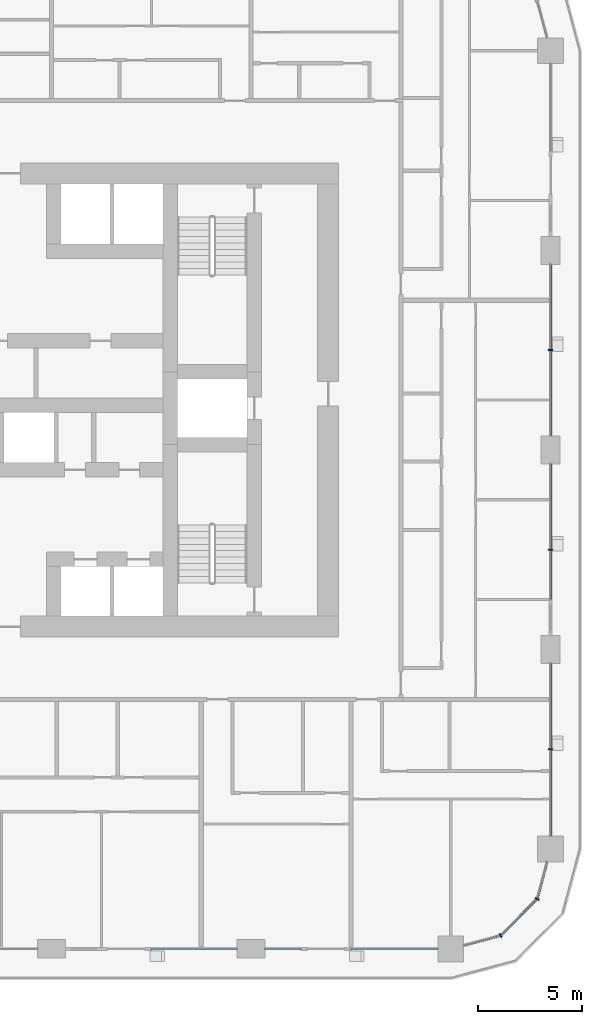
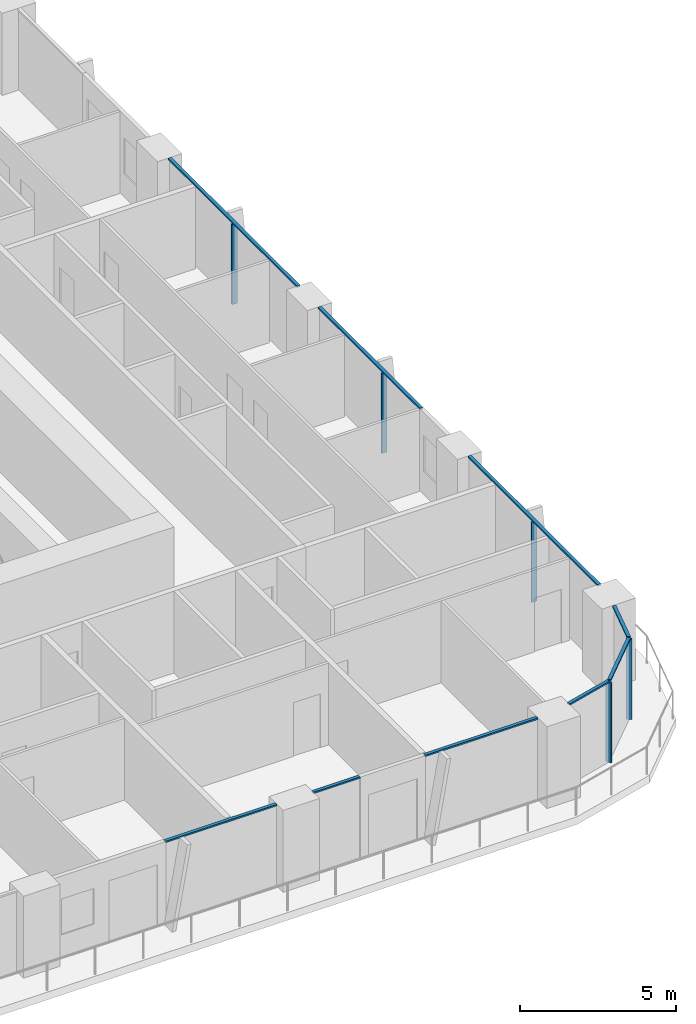
# One storey, part 4 of 21: 14 members, 6 elements without a shape of their own.
"""IFC4 building model written with IfcOpenShell, lengths in metres."""

from ifc_helpers import new_model, si_unit, direction, frame, origin, origin_2d, place, context, subcontext, project, spatial, rectangle, extrude, material, layer, layer_set, material_profile, profile_set, type_object, element, aggregate, save


model = new_model("IFC4")

# Units and contexts
model_context = context("Model", 3, precision=1e-05, world=origin(), true_north=direction((0.0, 1.0)))
body_context = subcontext(model_context, "Body", "Model", "MODEL_VIEW")
ifc_project = project(units=[si_unit("LENGTHUNIT", "METRE"), si_unit("AREAUNIT", "SQUARE_METRE"), si_unit("VOLUMEUNIT", "CUBIC_METRE"), si_unit("PLANEANGLEUNIT", "RADIAN"), si_unit("MASSUNIT", "GRAM", prefix="KILO")], contexts=[model_context])

# Site, building, storey
site_placement = place(None, origin())
site = spatial("IfcSite", under=ifc_project, at=site_placement, CompositionType="ELEMENT")
building_placement = place(site_placement, origin())
building = spatial("IfcBuilding", under=site, at=building_placement, Name="Madar Terraces", CompositionType="ELEMENT")
storey_placement = place(building_placement, frame((0.0, 0.0, 32.89990234375)))
storey = spatial("IfcBuildingStorey", under=building, at=storey_placement, Name="L07", CompositionType="ELEMENT", Elevation=32.89990234375)

# Curtain wall, member
ifc_material_1 = material(Name="Glass, ceramic frit dark grey, with black aluminium frame", Category="aluminium")
ifc_layer = layer(ifc_material_1, 0.199951171875)
ifc_layer_set = layer_set([ifc_layer], Name="Facade curtain wall, fritted glass")
curtain_wall_type = type_object("IfcCurtainWallType", Name="Facade curtain wall, fritted glass", PredefinedType="NOTDEFINED", material=ifc_layer_set)
curtain_wall_1_placement = place(storey_placement, origin())
curtain_wall_1 = element("IfcCurtainWall", 1, at=curtain_wall_1_placement, inside=storey, type_object=curtain_wall_type, Name="Outer skin curtain wall east bay 1", PredefinedType="NOTDEFINED")
ifc_material_2 = material(Name="Aluminium, black anodised", Category="aluminium")
ifc_material_profile_1 = material_profile(ifc_material_2, rectangle(XDim=0.199951171875, YDim=0.06005859375, at=origin_2d()), Name="Facade mullion 60x200")
ifc_profile_set_1 = profile_set([ifc_material_profile_1], Name="Aluminium, black anodised")
member_type_1 = type_object("IfcMemberType", Name="Facade mullion 60x200", PredefinedType="MULLION", material=ifc_profile_set_1)
member_1_placement = place(storey_placement, frame((57.60009765625, 9.60009765625, 0.0), z_axis=(0.0, 0.0, 1.0), x_axis=(-1.0, 0.0, 0.0)))
member_1 = element("IfcMember", 2, at=member_1_placement, type_object=member_type_1, Name="Mullion 1", PredefinedType="MULLION", context=body_context, shape_type="SweptSolid", body=[
    extrude(rectangle(XDim=0.199951171875, YDim=0.06005859375, at=origin_2d()), origin(), (0.0, 0.0, 1.0), 3.14013671875),
])

curtain_wall_2_placement = place(storey_placement, origin())
curtain_wall_2 = element("IfcCurtainWall", 3, at=curtain_wall_2_placement, inside=storey, type_object=curtain_wall_type, Name="Outer skin curtain wall east bay 2", PredefinedType="NOTDEFINED")
member_2_placement = place(storey_placement, frame((57.60009765625, 19.199951171875, 0.0), z_axis=(0.0, 0.0, 1.0), x_axis=(-1.0, 0.0, 0.0)))
member_2 = element("IfcMember", 4, at=member_2_placement, type_object=member_type_1, Name="Mullion 1", PredefinedType="MULLION", context=body_context, shape_type="SweptSolid", body=[
    extrude(rectangle(XDim=0.199951171875, YDim=0.06005859375, at=origin_2d()), origin(), (0.0, 0.0, 1.0), 3.14013671875),
])

curtain_wall_3_placement = place(storey_placement, origin())
curtain_wall_3 = element("IfcCurtainWall", 5, at=curtain_wall_3_placement, inside=storey, type_object=curtain_wall_type, Name="Outer skin curtain wall east bay 3", PredefinedType="NOTDEFINED")
member_3_placement = place(storey_placement, frame((57.60009765625, 28.800048828125, 0.0), z_axis=(0.0, 0.0, 1.0), x_axis=(-1.0, 0.0, 0.0)))
member_3 = element("IfcMember", 6, at=member_3_placement, type_object=member_type_1, Name="Mullion 1", PredefinedType="MULLION", context=body_context, shape_type="SweptSolid", body=[
    extrude(rectangle(XDim=0.199951171875, YDim=0.06005859375, at=origin_2d()), origin(), (0.0, 0.0, 1.0), 3.14013671875),
])

# Curtain wall, members
curtain_wall_4_placement = place(storey_placement, origin())
curtain_wall_4 = element("IfcCurtainWall", 7, at=curtain_wall_4_placement, inside=storey, type_object=curtain_wall_type, Name="Outer skin curtain wall south-east corner", PredefinedType="NOTDEFINED")
member_4_placement = place(storey_placement, frame((55.199951171875, 0.64306640625, 0.0), z_axis=(0.0, 0.0, 1.0), x_axis=(-0.499999989586, 0.866025409797, 0.0)))
member_4 = element("IfcMember", 8, at=member_4_placement, type_object=member_type_1, Name="Mullion 1", PredefinedType="MULLION", context=body_context, shape_type="SweptSolid", body=[
    extrude(rectangle(XDim=0.199951171875, YDim=0.06005859375, at=origin_2d()), origin(), (0.0, 0.0, 1.0), 3.14013671875),
])
member_5_placement = place(storey_placement, frame((56.95703125, 2.39990234375, 0.0), z_axis=(0.0, 0.0, 1.0), x_axis=(-0.866025409797, 0.499999989586, 0.0)))
member_5 = element("IfcMember", 9, at=member_5_placement, type_object=member_type_1, Name="Mullion 2", PredefinedType="MULLION", context=body_context, shape_type="SweptSolid", body=[
    extrude(rectangle(XDim=0.199951171875, YDim=0.06005859375, at=origin_2d()), origin(), (0.0, 0.0, 1.0), 3.14013671875),
])

# Curtain wall, member
curtain_wall_5_placement = place(storey_placement, origin())
curtain_wall_5 = element("IfcCurtainWall", 10, at=curtain_wall_5_placement, inside=storey, type_object=curtain_wall_type, Name="Outer skin curtain wall south bay 4", PredefinedType="NOTDEFINED")
ifc_material_3 = material(Name="Aluminium, black anodised", Category="aluminium")
ifc_material_profile_2 = material_profile(ifc_material_3, rectangle(XDim=0.1201171875, YDim=0.06005859375, at=origin_2d()), Name="Facade transom 60x120")
ifc_profile_set_2 = profile_set([ifc_material_profile_2], Name="Aluminium, black anodised")
member_type_2 = type_object("IfcMemberType", Name="Facade transom 60x120", PredefinedType="USERDEFINED", material=ifc_profile_set_2)
member_6_placement = place(storey_placement, frame((38.39990234375, 0.0, 3.170166015625), z_axis=(1.0, 0.0, 0.0), x_axis=(0.0, 1.0, 0.0)))
member_6 = element("IfcMember", 11, at=member_6_placement, type_object=member_type_2, Name="Transom 1", ObjectType="TRANSOM", PredefinedType="USERDEFINED", context=body_context, shape_type="SweptSolid", body=[
    extrude(rectangle(XDim=0.1201171875, YDim=0.06005859375, at=origin_2d()), origin(), (0.0, 0.0, 1.0), 4.125),
])
aggregate(curtain_wall_5, [member_6])

# Curtain wall, members
curtain_wall_6_placement = place(storey_placement, origin())
curtain_wall_6 = element("IfcCurtainWall", 12, at=curtain_wall_6_placement, inside=storey, type_object=curtain_wall_type, Name="Outer skin curtain wall south bay 5", PredefinedType="NOTDEFINED")
member_7_placement = place(storey_placement, frame((43.875, 0.0, 3.170166015625), z_axis=(1.0, 0.0, 0.0), x_axis=(0.0, 1.0, 0.0)))
member_7 = element("IfcMember", 13, at=member_7_placement, type_object=member_type_2, Name="Transom 1", ObjectType="TRANSOM", PredefinedType="USERDEFINED", context=body_context, shape_type="SweptSolid", body=[
    extrude(rectangle(XDim=0.1201171875, YDim=0.06005859375, at=origin_2d()), origin(), (0.0, 0.0, 1.0), 1.72509765625),
])
member_8_placement = place(storey_placement, frame((48.0, 0.0, 3.170166015625), z_axis=(1.0, 0.0, 0.0), x_axis=(0.0, 1.0, 0.0)))
member_8 = element("IfcMember", 14, at=member_8_placement, type_object=member_type_2, Name="Transom 2", ObjectType="TRANSOM", PredefinedType="USERDEFINED", context=body_context, shape_type="SweptSolid", body=[
    extrude(rectangle(XDim=0.1201171875, YDim=0.06005859375, at=origin_2d()), origin(), (0.0, 0.0, 1.0), 4.175048828125),
])
aggregate(curtain_wall_6, [member_7, member_8])

# Member
member_9_placement = place(storey_placement, frame((57.60009765625, 5.425048828125, 3.170166015625), z_axis=(0.0, 1.0, 0.0), x_axis=(-1.0, 0.0, 0.0)))
member_9 = element("IfcMember", 15, at=member_9_placement, type_object=member_type_2, Name="Transom 1", ObjectType="TRANSOM", PredefinedType="USERDEFINED", context=body_context, shape_type="SweptSolid", body=[
    extrude(rectangle(XDim=0.1201171875, YDim=0.06005859375, at=origin_2d()), origin(), (0.0, 0.0, 1.0), 8.300048828125),
])

aggregate(curtain_wall_1, [member_1, member_9])

member_10_placement = place(storey_placement, frame((57.60009765625, 16.800048828125, 3.170166015625), z_axis=(0.0, 1.0, 0.0), x_axis=(-1.0, 0.0, 0.0)))
member_10 = element("IfcMember", 16, at=member_10_placement, type_object=member_type_2, Name="Transom 1", ObjectType="TRANSOM", PredefinedType="USERDEFINED", context=body_context, shape_type="SweptSolid", body=[
    extrude(rectangle(XDim=0.1201171875, YDim=0.06005859375, at=origin_2d()), origin(), (0.0, 0.0, 1.0), 6.52490234375),
])

aggregate(curtain_wall_2, [member_2, member_10])

member_11_placement = place(storey_placement, frame((57.60009765625, 24.675048828125, 3.170166015625), z_axis=(0.0, 1.0, 0.0), x_axis=(-1.0, 0.0, 0.0)))
member_11 = element("IfcMember", 17, at=member_11_placement, type_object=member_type_2, Name="Transom 1", ObjectType="TRANSOM", PredefinedType="USERDEFINED", context=body_context, shape_type="SweptSolid", body=[
    extrude(rectangle(XDim=0.1201171875, YDim=0.06005859375, at=origin_2d()), origin(), (0.0, 0.0, 1.0), 8.25),
])

aggregate(curtain_wall_3, [member_3, member_11])

member_12_placement = place(storey_placement, frame((53.425048828125, 0.16748046875, 3.170166015625), z_axis=(0.965938406667, 0.258772089929, 0.0), x_axis=(-0.258772089929, 0.965938406667, 0.0)))
member_12 = element("IfcMember", 18, at=member_12_placement, type_object=member_type_2, Name="Transom 1", ObjectType="TRANSOM", PredefinedType="USERDEFINED", context=body_context, shape_type="SweptSolid", body=[
    extrude(rectangle(XDim=0.1201171875, YDim=0.06005859375, at=origin_2d()), origin(), (0.0, 0.0, 1.0), 1.8076171875),
])

member_13_placement = place(storey_placement, frame((55.22119140625, 0.664306640625, 3.170166015625), z_axis=(0.707106781187, 0.707106781187, 0.0), x_axis=(-0.707106781187, 0.707106781187, 0.0)))
member_13 = element("IfcMember", 19, at=member_13_placement, type_object=member_type_2, Name="Transom 2", ObjectType="TRANSOM", PredefinedType="USERDEFINED", context=body_context, shape_type="SweptSolid", body=[
    extrude(rectangle(XDim=0.1201171875, YDim=0.06005859375, at=origin_2d()), origin(), (0.0, 0.0, 1.0), 2.4248046875),
])

member_14_placement = place(storey_placement, frame((56.964599609375, 2.428955078125, 3.170166015625), z_axis=(0.258898097903, 0.965904640688, 0.0), x_axis=(-0.965904640688, 0.258898097903, 0.0)))
member_14 = element("IfcMember", 20, at=member_14_placement, type_object=member_type_2, Name="Transom 3", ObjectType="TRANSOM", PredefinedType="USERDEFINED", context=body_context, shape_type="SweptSolid", body=[
    extrude(rectangle(XDim=0.1201171875, YDim=0.06005859375, at=origin_2d()), origin(), (0.0, 0.0, 1.0), 1.8076171875),
])

aggregate(curtain_wall_4, [member_4, member_12, member_5, member_13, member_14])

save(model, "model.ifc")
